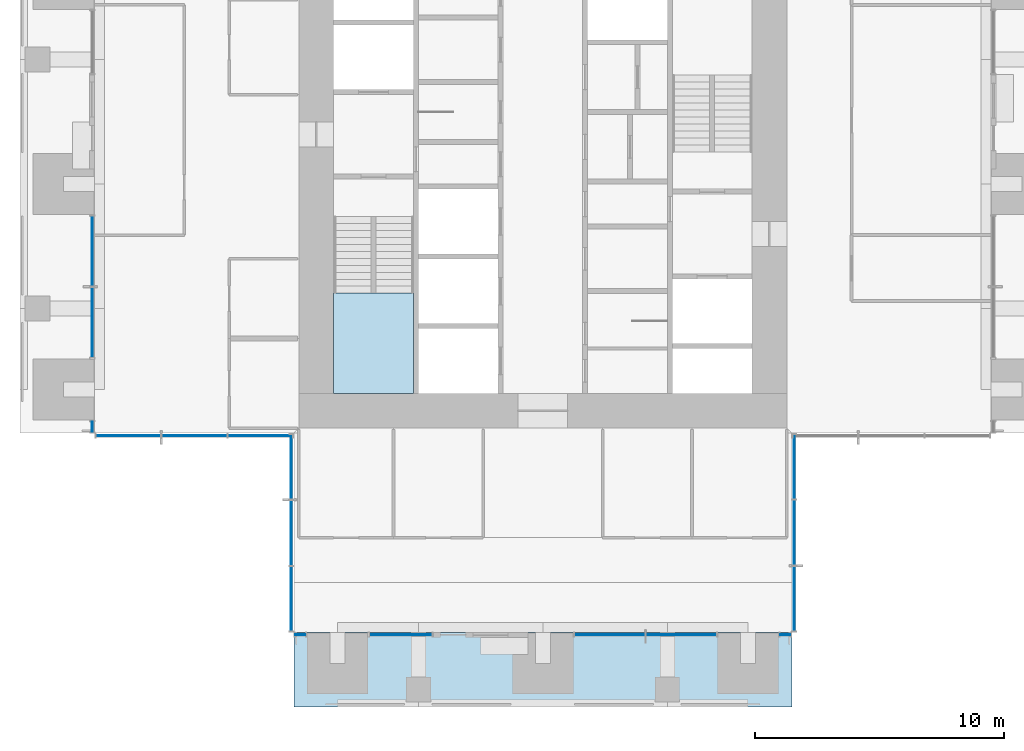
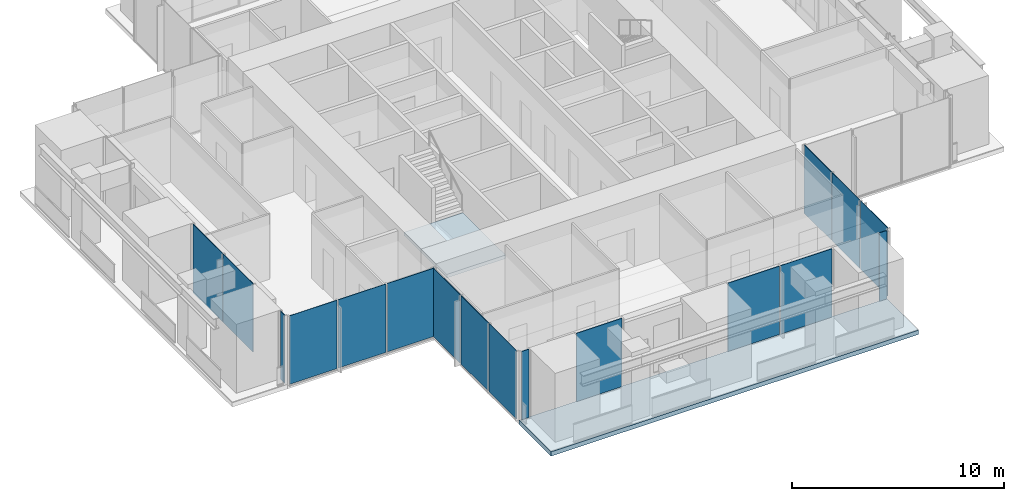
# One storey, part 7 of 17: 17 plates, 2 slabs, 10 elements without a shape of their own.
"""IFC4 building model written with IfcOpenShell, lengths in metres."""

from ifc_helpers import new_model, si_unit, direction, frame, origin, origin_2d, place, context, subcontext, project, spatial, polyline, rectangle, outline, extrude, material, layer, layer_set, type_object, element, aggregate, save


model = new_model("IFC4")

# Units and contexts
model_context = context("Model", 3, precision=1e-05, world=origin(), true_north=direction((0.0, 1.0)))
body_context = subcontext(model_context, "Body", "Model", "MODEL_VIEW")
ifc_project = project(units=[si_unit("LENGTHUNIT", "METRE"), si_unit("AREAUNIT", "SQUARE_METRE"), si_unit("VOLUMEUNIT", "CUBIC_METRE"), si_unit("PLANEANGLEUNIT", "RADIAN"), si_unit("MASSUNIT", "GRAM", prefix="KILO")], contexts=[model_context])

# Site, building, storey
site_placement = place(None, origin())
site = spatial("IfcSite", under=ifc_project, at=site_placement, CompositionType="ELEMENT")
building_placement = place(site_placement, origin())
building = spatial("IfcBuilding", under=site, at=building_placement, Name="Svetlomir Tower", CompositionType="ELEMENT")
storey_placement = place(building_placement, frame((0.0, 0.0, 198.5)))
storey = spatial("IfcBuildingStorey", under=building, at=storey_placement, Name="L47", CompositionType="ELEMENT", Elevation=198.5)

# Curtain wall, plate
ifc_material_1 = material(Name="Bronze anodised aluminium curtain wall", Category="aluminium")
curtain_wall_type = type_object("IfcCurtainWallType", Name="CURTAIN WALL CW1 TOWER OFFICE", PredefinedType="NOTDEFINED", material=ifc_material_1)
curtain_wall_1_placement = place(storey_placement, origin())
curtain_wall_1 = element("IfcCurtainWall", 1, at=curtain_wall_1_placement, inside=storey, type_object=curtain_wall_type, Name="Curtain wall CW1 L47", PredefinedType="NOTDEFINED")
ifc_material_2 = material(Name="Tinted double glazed unit", Category="glass")
ifc_layer_1 = layer(ifc_material_2, 0.031982421875)
ifc_layer_set_1 = layer_set([ifc_layer_1], Name="Tinted double glazed unit")
plate_type = type_object("IfcPlateType", Name="CW1 GLAZED PANEL 32", PredefinedType="CURTAIN_PANEL", material=ifc_layer_set_1)
plate_1_placement = place(storey_placement, frame((11.262451171875, 2.89990234375, 0.06494140625), z_axis=(0.0, 0.0, 1.0), x_axis=(1.0, 0.0, 0.0)))
plate_1 = element("IfcPlate", 2, at=plate_1_placement, type_object=plate_type, Name="CW1 panel 1.1", PredefinedType="CURTAIN_PANEL", context=body_context, shape_type="SweptSolid", body=[
    extrude(rectangle(XDim=0.39501953125, YDim=0.031982421875, at=origin_2d()), origin(), (0.0, 0.0, 1.0), 3.93505859375),
])
aggregate(curtain_wall_1, [plate_1])

curtain_wall_2_placement = place(storey_placement, origin())
curtain_wall_2 = element("IfcCurtainWall", 3, at=curtain_wall_2_placement, inside=storey, type_object=curtain_wall_type, Name="Curtain wall CW1 L47", PredefinedType="NOTDEFINED")
plate_2_placement = place(storey_placement, frame((15.28759765625, 2.89990234375, 0.06494140625), z_axis=(0.0, 0.0, 1.0), x_axis=(1.0, 0.0, 0.0)))
plate_2 = element("IfcPlate", 4, at=plate_2_placement, type_object=plate_type, Name="CW1 panel 1.1", PredefinedType="CURTAIN_PANEL", context=body_context, shape_type="SweptSolid", body=[
    extrude(rectangle(XDim=2.4951171875, YDim=0.031982421875, at=origin_2d()), origin(), (0.0, 0.0, 1.0), 3.93505859375),
])
aggregate(curtain_wall_2, [plate_2])

# Curtain wall, plates
curtain_wall_3_placement = place(storey_placement, origin())
curtain_wall_3 = element("IfcCurtainWall", 5, at=curtain_wall_3_placement, inside=storey, type_object=curtain_wall_type, Name="Curtain wall CW1 L47", PredefinedType="NOTDEFINED")
plate_3_placement = place(storey_placement, frame((23.691162109375, 2.89990234375, 0.06494140625), z_axis=(0.0, 0.0, 1.0), x_axis=(1.0, 0.0, 0.0)))
plate_3 = element("IfcPlate", 6, at=plate_3_placement, type_object=plate_type, Name="CW1 panel 1.1", PredefinedType="CURTAIN_PANEL", context=body_context, shape_type="SweptSolid", body=[
    extrude(rectangle(XDim=2.802490234375, YDim=0.031982421875, at=origin_2d()), origin(), (0.0, 0.0, 1.0), 3.93505859375),
])
plate_4_placement = place(storey_placement, frame((26.558837890625, 2.89990234375, 0.06494140625), z_axis=(0.0, 0.0, 1.0), x_axis=(1.0, 0.0, 0.0)))
plate_4 = element("IfcPlate", 7, at=plate_4_placement, type_object=plate_type, Name="CW1 panel 2.1", PredefinedType="CURTAIN_PANEL", context=body_context, shape_type="SweptSolid", body=[
    extrude(rectangle(XDim=2.802490234375, YDim=0.031982421875, at=origin_2d()), origin(), (0.0, 0.0, 1.0), 3.93505859375),
])
aggregate(curtain_wall_3, [plate_3, plate_4])

# Curtain wall, plate
curtain_wall_4_placement = place(storey_placement, origin())
curtain_wall_4 = element("IfcCurtainWall", 8, at=curtain_wall_4_placement, inside=storey, type_object=curtain_wall_type, Name="Curtain wall CW1 L47", PredefinedType="NOTDEFINED")
plate_5_placement = place(storey_placement, frame((30.737548828125, 2.89990234375, 0.06494140625), z_axis=(0.0, 0.0, 1.0), x_axis=(1.0, 0.0, 0.0)))
plate_5 = element("IfcPlate", 9, at=plate_5_placement, type_object=plate_type, Name="CW1 panel 1.1", PredefinedType="CURTAIN_PANEL", context=body_context, shape_type="SweptSolid", body=[
    extrude(rectangle(XDim=0.39501953125, YDim=0.031982421875, at=origin_2d()), origin(), (0.0, 0.0, 1.0), 3.93505859375),
])
aggregate(curtain_wall_4, [plate_5])

# Curtain wall, plates
curtain_wall_5_placement = place(storey_placement, origin())
curtain_wall_5 = element("IfcCurtainWall", 10, at=curtain_wall_5_placement, inside=storey, type_object=curtain_wall_type, Name="Curtain wall CW1 L47", PredefinedType="NOTDEFINED")
plate_6_placement = place(storey_placement, frame((31.10009765625, 4.349609375, 0.06494140625), z_axis=(0.0, 0.0, 1.0), x_axis=(0.0, 1.0, 0.0)))
plate_6 = element("IfcPlate", 11, at=plate_6_placement, type_object=plate_type, Name="CW1 panel 1.1", PredefinedType="CURTAIN_PANEL", context=body_context, shape_type="SweptSolid", body=[
    extrude(rectangle(XDim=2.569091796875, YDim=0.031982421875, at=origin_2d()), origin(), (0.0, 0.0, 1.0), 3.93505859375),
])
plate_7_placement = place(storey_placement, frame((31.10009765625, 7.0, 0.06494140625), z_axis=(0.0, 0.0, 1.0), x_axis=(0.0, 1.0, 0.0)))
plate_7 = element("IfcPlate", 12, at=plate_7_placement, type_object=plate_type, Name="CW1 panel 2.1", PredefinedType="CURTAIN_PANEL", context=body_context, shape_type="SweptSolid", body=[
    extrude(rectangle(XDim=2.6015625, YDim=0.031982421875, at=origin_2d()), origin(), (0.0, 0.0, 1.0), 3.93505859375),
])
plate_8_placement = place(storey_placement, frame((31.10009765625, 9.650390625, 0.06494140625), z_axis=(0.0, 0.0, 1.0), x_axis=(0.0, 1.0, 0.0)))
plate_8 = element("IfcPlate", 13, at=plate_8_placement, type_object=plate_type, Name="CW1 panel 3.1", PredefinedType="CURTAIN_PANEL", context=body_context, shape_type="SweptSolid", body=[
    extrude(rectangle(XDim=2.569091796875, YDim=0.031982421875, at=origin_2d()), origin(), (0.0, 0.0, 1.0), 3.93505859375),
])
aggregate(curtain_wall_5, [plate_6, plate_7, plate_8])

curtain_wall_6_placement = place(storey_placement, origin())
curtain_wall_6 = element("IfcCurtainWall", 14, at=curtain_wall_6_placement, inside=storey, type_object=curtain_wall_type, Name="Curtain wall CW1 L47", PredefinedType="NOTDEFINED")
plate_9_placement = place(storey_placement, frame((2.89990234375, 18.308837890625, 0.06494140625), z_axis=(0.0, 0.0, 1.0), x_axis=(0.0, -1.0, 0.0)))
plate_9 = element("IfcPlate", 15, at=plate_9_placement, type_object=plate_type, Name="CW1 panel 1.1", PredefinedType="CURTAIN_PANEL", context=body_context, shape_type="SweptSolid", body=[
    extrude(rectangle(XDim=2.802490234375, YDim=0.031982421875, at=origin_2d()), origin(), (0.0, 0.0, 1.0), 3.93505859375),
])
plate_10_placement = place(storey_placement, frame((2.89990234375, 15.441162109375, 0.06494140625), z_axis=(0.0, 0.0, 1.0), x_axis=(0.0, -1.0, 0.0)))
plate_10 = element("IfcPlate", 16, at=plate_10_placement, type_object=plate_type, Name="CW1 panel 2.1", PredefinedType="CURTAIN_PANEL", context=body_context, shape_type="SweptSolid", body=[
    extrude(rectangle(XDim=2.802490234375, YDim=0.031982421875, at=origin_2d()), origin(), (0.0, 0.0, 1.0), 3.93505859375),
])
aggregate(curtain_wall_6, [plate_9, plate_10])

# Curtain wall, plate
curtain_wall_7_placement = place(storey_placement, origin())
curtain_wall_7 = element("IfcCurtainWall", 17, at=curtain_wall_7_placement, inside=storey, type_object=curtain_wall_type, Name="Curtain wall CW1 L47", PredefinedType="NOTDEFINED")
plate_11_placement = place(storey_placement, frame((2.89990234375, 11.262451171875, 0.06494140625), z_axis=(0.0, 0.0, 1.0), x_axis=(0.0, -1.0, 0.0)))
plate_11 = element("IfcPlate", 18, at=plate_11_placement, type_object=plate_type, Name="CW1 panel 1.1", PredefinedType="CURTAIN_PANEL", context=body_context, shape_type="SweptSolid", body=[
    extrude(rectangle(XDim=0.39501953125, YDim=0.031982421875, at=origin_2d()), origin(), (0.0, 0.0, 1.0), 3.93505859375),
])
aggregate(curtain_wall_7, [plate_11])

# Curtain wall, plates
curtain_wall_8_placement = place(storey_placement, origin())
curtain_wall_8 = element("IfcCurtainWall", 19, at=curtain_wall_8_placement, inside=storey, type_object=curtain_wall_type, Name="Curtain wall CW1 L47", PredefinedType="NOTDEFINED")
plate_12_placement = place(storey_placement, frame((4.349609375, 10.89990234375, 0.06494140625), z_axis=(0.0, 0.0, 1.0), x_axis=(1.0, 0.0, 0.0)))
plate_12 = element("IfcPlate", 20, at=plate_12_placement, type_object=plate_type, Name="CW1 panel 1.1", PredefinedType="CURTAIN_PANEL", context=body_context, shape_type="SweptSolid", body=[
    extrude(rectangle(XDim=2.569091796875, YDim=0.031982421875, at=origin_2d()), origin(), (0.0, 0.0, 1.0), 3.93505859375),
])
plate_13_placement = place(storey_placement, frame((7.0, 10.89990234375, 0.06494140625), z_axis=(0.0, 0.0, 1.0), x_axis=(1.0, 0.0, 0.0)))
plate_13 = element("IfcPlate", 21, at=plate_13_placement, type_object=plate_type, Name="CW1 panel 2.1", PredefinedType="CURTAIN_PANEL", context=body_context, shape_type="SweptSolid", body=[
    extrude(rectangle(XDim=2.6015625, YDim=0.031982421875, at=origin_2d()), origin(), (0.0, 0.0, 1.0), 3.93505859375),
])
plate_14_placement = place(storey_placement, frame((9.650390625, 10.89990234375, 0.06494140625), z_axis=(0.0, 0.0, 1.0), x_axis=(1.0, 0.0, 0.0)))
plate_14 = element("IfcPlate", 22, at=plate_14_placement, type_object=plate_type, Name="CW1 panel 3.1", PredefinedType="CURTAIN_PANEL", context=body_context, shape_type="SweptSolid", body=[
    extrude(rectangle(XDim=2.569091796875, YDim=0.031982421875, at=origin_2d()), origin(), (0.0, 0.0, 1.0), 3.93505859375),
])
aggregate(curtain_wall_8, [plate_12, plate_13, plate_14])

curtain_wall_9_placement = place(storey_placement, origin())
curtain_wall_9 = element("IfcCurtainWall", 23, at=curtain_wall_9_placement, inside=storey, type_object=curtain_wall_type, Name="Curtain wall CW1 L47", PredefinedType="NOTDEFINED")
plate_15_placement = place(storey_placement, frame((10.89990234375, 9.650390625, 0.06494140625), z_axis=(0.0, 0.0, 1.0), x_axis=(0.0, -1.0, 0.0)))
plate_15 = element("IfcPlate", 24, at=plate_15_placement, type_object=plate_type, Name="CW1 panel 1.1", PredefinedType="CURTAIN_PANEL", context=body_context, shape_type="SweptSolid", body=[
    extrude(rectangle(XDim=2.569091796875, YDim=0.031982421875, at=origin_2d()), origin(), (0.0, 0.0, 1.0), 3.93505859375),
])
plate_16_placement = place(storey_placement, frame((10.89990234375, 7.0, 0.06494140625), z_axis=(0.0, 0.0, 1.0), x_axis=(0.0, -1.0, 0.0)))
plate_16 = element("IfcPlate", 25, at=plate_16_placement, type_object=plate_type, Name="CW1 panel 2.1", PredefinedType="CURTAIN_PANEL", context=body_context, shape_type="SweptSolid", body=[
    extrude(rectangle(XDim=2.6015625, YDim=0.031982421875, at=origin_2d()), origin(), (0.0, 0.0, 1.0), 3.93505859375),
])
plate_17_placement = place(storey_placement, frame((10.89990234375, 4.349609375, 0.06494140625), z_axis=(0.0, 0.0, 1.0), x_axis=(0.0, -1.0, 0.0)))
plate_17 = element("IfcPlate", 26, at=plate_17_placement, type_object=plate_type, Name="CW1 panel 3.1", PredefinedType="CURTAIN_PANEL", context=body_context, shape_type="SweptSolid", body=[
    extrude(rectangle(XDim=2.569091796875, YDim=0.031982421875, at=origin_2d()), origin(), (0.0, 0.0, 1.0), 3.93505859375),
])
aggregate(curtain_wall_9, [plate_15, plate_16, plate_17])

# Slab
ifc_material_3 = material(Name="Concrete C60/75", Category="concrete")
ifc_layer_2 = layer(ifc_material_3, 0.25)
ifc_layer_set_2 = layer_set([ifc_layer_2], Name="Concrete C60/75")
slab_type_1 = type_object("IfcSlabType", Name="PLANTED LOGGIA SLAB 250", PredefinedType="FLOOR", material=ifc_layer_set_2)
slab_1_placement = place(storey_placement, frame((0.0, 0.0, -0.25)))
element("IfcSlab", 27, at=slab_1_placement, inside=storey, type_object=slab_type_1, Name="L47 S planted loggia", PredefinedType="FLOOR", context=body_context, shape_type="SweptSolid", body=[
    extrude(outline(polyline([(11.0, 0.0), (31.0, 0.0), (31.0, 3.0), (11.0, 3.0), (11.0, 0.0)])), origin(), (0.0, 0.0, 1.0), 0.25),
])

# Stair, slab
ifc_material_4 = material(Name="Concrete C60/75", Category="concrete")
stair_type = type_object("IfcStairType", Name="EXIT STAIR 3200 RISE 4000", PredefinedType="HALF_TURN_STAIR", material=ifc_material_4)
stair_placement = place(storey_placement, origin())
stair = element("IfcStair", 28, at=stair_placement, inside=storey, type_object=stair_type, Name="Stair S1 L47 to L48", PredefinedType="HALF_TURN_STAIR")
ifc_material_5 = material(Name="Concrete C60/75", Category="concrete")
ifc_layer_3 = layer(ifc_material_5, 0.199951171875)
ifc_layer_set_3 = layer_set([ifc_layer_3], Name="Concrete C60/75")
slab_type_2 = type_object("IfcSlabType", Name="STAIR LANDING 200", PredefinedType="LANDING", material=ifc_layer_set_3)
slab_2_placement = place(storey_placement, frame((0.0, 0.0, 1.800048828125)))
slab_2 = element("IfcSlab", 29, at=slab_2_placement, type_object=slab_type_2, Name="S1 landing 1", PredefinedType="LANDING", context=body_context, shape_type="SweptSolid", body=[
    extrude(outline(polyline([(12.60009765625, 12.60009765625), (15.800048828125, 12.60009765625), (15.800048828125, 16.6201171875), (12.60009765625, 16.6201171875), (12.60009765625, 12.60009765625)])), origin(), (0.0, 0.0, 1.0), 0.199951171875),
])
aggregate(stair, [slab_2])

save(model, "model.ifc")
